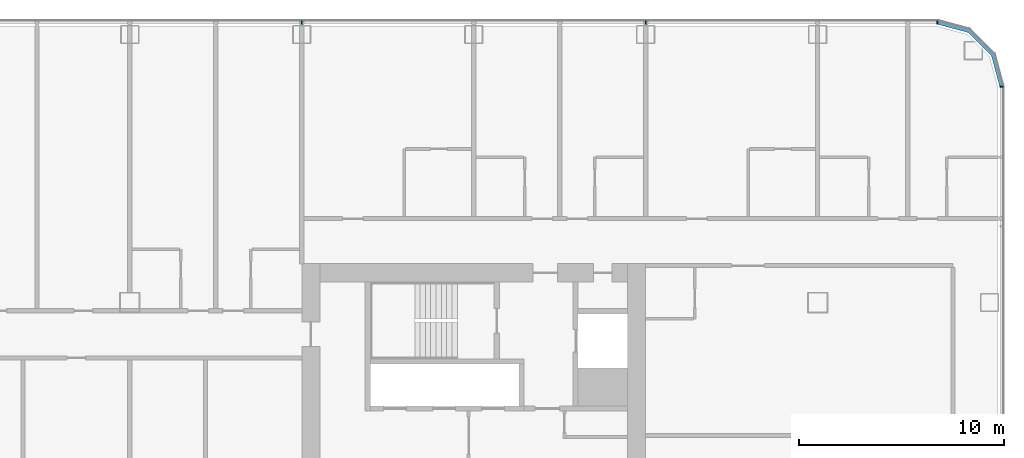
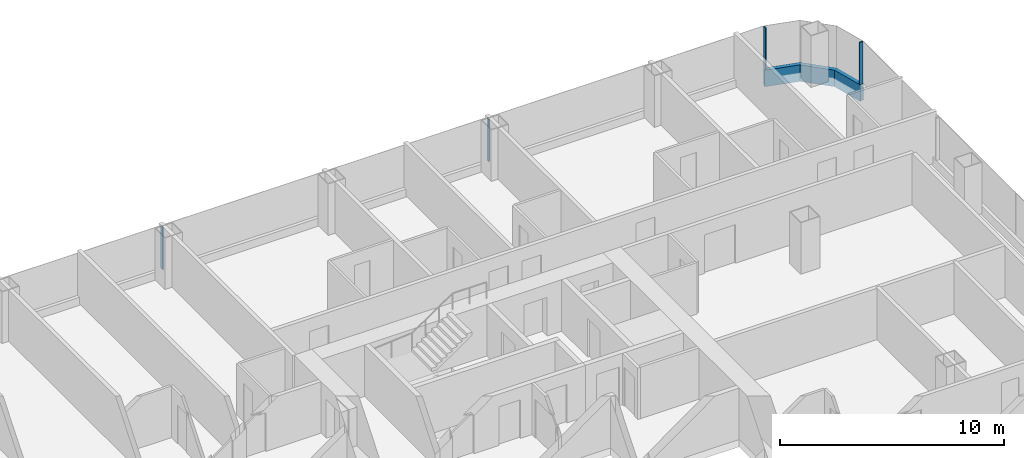
# One storey, part 11 of 28: 5 members, 3 elements without a shape of their own.
"""IFC4 building model written with IfcOpenShell, lengths in metres."""

from ifc_helpers import new_model, si_unit, direction, frame, origin, origin_2d, place, context, subcontext, project, spatial, polyline, rectangle, outline, extrude, material, layer, layer_set, material_profile, profile_set, type_object, element, aggregate, save


model = new_model("IFC4")

# Units and contexts
model_context = context("Model", 3, precision=1e-05, world=origin(), true_north=direction((0.0, 1.0)))
body_context = subcontext(model_context, "Body", "Model", "MODEL_VIEW")
ifc_project = project(units=[si_unit("LENGTHUNIT", "METRE"), si_unit("AREAUNIT", "SQUARE_METRE"), si_unit("VOLUMEUNIT", "CUBIC_METRE"), si_unit("PLANEANGLEUNIT", "RADIAN"), si_unit("MASSUNIT", "GRAM", prefix="KILO")], contexts=[model_context])

# Site, building, storey
site_placement = place(None, origin())
site = spatial("IfcSite", under=ifc_project, at=site_placement, CompositionType="ELEMENT")
building_placement = place(site_placement, origin())
building = spatial("IfcBuilding", under=site, at=building_placement, Name="Hakoniwa Tower and Hamabe Station Hall", CompositionType="ELEMENT")
storey_placement = place(building_placement, frame((0.0, 0.0, 42.199951171875)))
storey = spatial("IfcBuildingStorey", under=building, at=storey_placement, Name="L11", CompositionType="ELEMENT", Elevation=42.199951171875)

# Curtain wall, member
ifc_material_1 = material(Name="Dark low-e laminated glass", Category="glass")
ifc_layer = layer(ifc_material_1, 0.199951171875)
ifc_layer_set = layer_set([ifc_layer], Name="CW-1 UNITISED GUEST")
curtain_wall_type = type_object("IfcCurtainWallType", Name="CW-1 UNITISED GUEST", PredefinedType="NOTDEFINED", material=ifc_layer_set)
curtain_wall_1_placement = place(storey_placement, origin())
curtain_wall_1 = element("IfcCurtainWall", 1, at=curtain_wall_1_placement, inside=storey, type_object=curtain_wall_type, Name="CW-1 curtain wall", PredefinedType="NOTDEFINED")
ifc_material_2 = material(Name="Aluminium 6063-T5 black anodised", Category="aluminium")
ifc_material_profile_1 = material_profile(ifc_material_2, rectangle(XDim=0.199951171875, YDim=0.89990234375, at=origin_2d()), Name="CW SLAB-EDGE BAND 900X200")
ifc_profile_set_1 = profile_set([ifc_material_profile_1], Name="Aluminium 6063-T5 black anodised")
member_type_1 = type_object("IfcMemberType", Name="CW SLAB-EDGE BAND 900X200", PredefinedType="USERDEFINED", material=ifc_profile_set_1)
member_1_placement = place(storey_placement, frame((0.0, 0.0, -0.550048828125)))
member_1 = element("IfcMember", 2, at=member_1_placement, type_object=member_type_1, Name="CW-1 transom", ObjectType="TRANSOM", PredefinedType="USERDEFINED", context=body_context, shape_type="SweptSolid", body=[
    extrude(outline(polyline([(51.10009765625, 17.03955078125), (50.6669921875, 18.6552734375), (49.455322265625, 19.866943359375), (47.839599609375, 20.300048828125), (47.787841796875, 20.10693359375), (49.351806640625, 19.687744140625), (50.48779296875, 18.5517578125), (50.90673828125, 16.98779296875), (51.10009765625, 17.03955078125)])), origin(), (0.0, 0.0, 1.0), 0.900146484375),
])
aggregate(curtain_wall_1, [member_1])

curtain_wall_2_placement = place(storey_placement, origin())
curtain_wall_2 = element("IfcCurtainWall", 3, at=curtain_wall_2_placement, inside=storey, type_object=curtain_wall_type, Name="CW-1 curtain wall", PredefinedType="NOTDEFINED")
ifc_material_3 = material(Name="Aluminium 6063-T5 black anodised", Category="aluminium")
ifc_material_profile_2 = material_profile(ifc_material_3, rectangle(XDim=0.06005859375, YDim=0.179931640625, at=origin_2d()), Name="CW-1 MULLION 60X180")
ifc_profile_set_2 = profile_set([ifc_material_profile_2], Name="Aluminium 6063-T5 black anodised")
member_type_2 = type_object("IfcMemberType", Name="CW-1 MULLION 60X180", PredefinedType="MULLION", material=ifc_profile_set_2)
member_2_placement = place(storey_placement, frame((50.98193359375, 17.03955078125, 0.35009765625), z_axis=(0.0, 0.0, 1.0), x_axis=(0.0, 1.0, 0.0)))
member_2 = element("IfcMember", 4, at=member_2_placement, type_object=member_type_2, Name="CW-1 mullion", PredefinedType="MULLION", context=body_context, shape_type="SweptSolid", body=[
    extrude(rectangle(XDim=0.06005859375, YDim=0.179931640625, at=origin_2d()), origin(), (0.0, 0.0, 1.0), 2.300048828125),
])
aggregate(curtain_wall_2, [member_2])

# Curtain wall, members
curtain_wall_3_placement = place(storey_placement, origin())
curtain_wall_3 = element("IfcCurtainWall", 5, at=curtain_wall_3_placement, inside=storey, type_object=curtain_wall_type, Name="CW-1 curtain wall", PredefinedType="NOTDEFINED")
member_3_placement = place(storey_placement, frame((47.839599609375, 20.181884765625, 0.35009765625), z_axis=(0.0, 0.0, 1.0), x_axis=(-1.0, 0.0, 0.0)))
member_3 = element("IfcMember", 6, at=member_3_placement, type_object=member_type_2, Name="CW-1 mullion", PredefinedType="MULLION", context=body_context, shape_type="SweptSolid", body=[
    extrude(rectangle(XDim=0.06005859375, YDim=0.179931640625, at=origin_2d()), origin(), (0.0, 0.0, 1.0), 2.300048828125),
])
member_4_placement = place(storey_placement, frame((33.60009765625, 20.181884765625, 0.35009765625), z_axis=(0.0, 0.0, 1.0), x_axis=(-1.0, 0.0, 0.0)))
member_4 = element("IfcMember", 7, at=member_4_placement, type_object=member_type_2, Name="CW-1 mullion", PredefinedType="MULLION", context=body_context, shape_type="SweptSolid", body=[
    extrude(rectangle(XDim=0.06005859375, YDim=0.179931640625, at=origin_2d()), origin(), (0.0, 0.0, 1.0), 2.300048828125),
])
member_5_placement = place(storey_placement, frame((16.800048828125, 20.181884765625, 0.35009765625), z_axis=(0.0, 0.0, 1.0), x_axis=(-1.0, 0.0, 0.0)))
member_5 = element("IfcMember", 8, at=member_5_placement, type_object=member_type_2, Name="CW-1 mullion", PredefinedType="MULLION", context=body_context, shape_type="SweptSolid", body=[
    extrude(rectangle(XDim=0.06005859375, YDim=0.179931640625, at=origin_2d()), origin(), (0.0, 0.0, 1.0), 2.300048828125),
])
aggregate(curtain_wall_3, [member_3, member_4, member_5])

save(model, "model.ifc")
